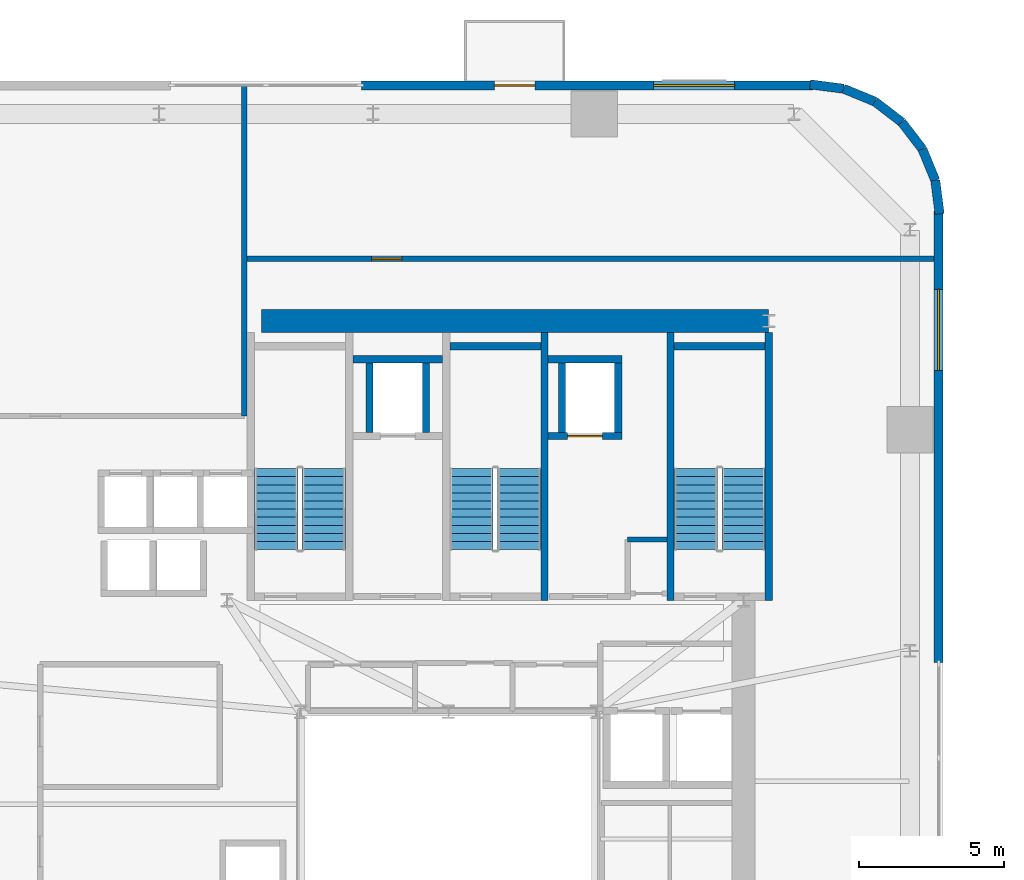
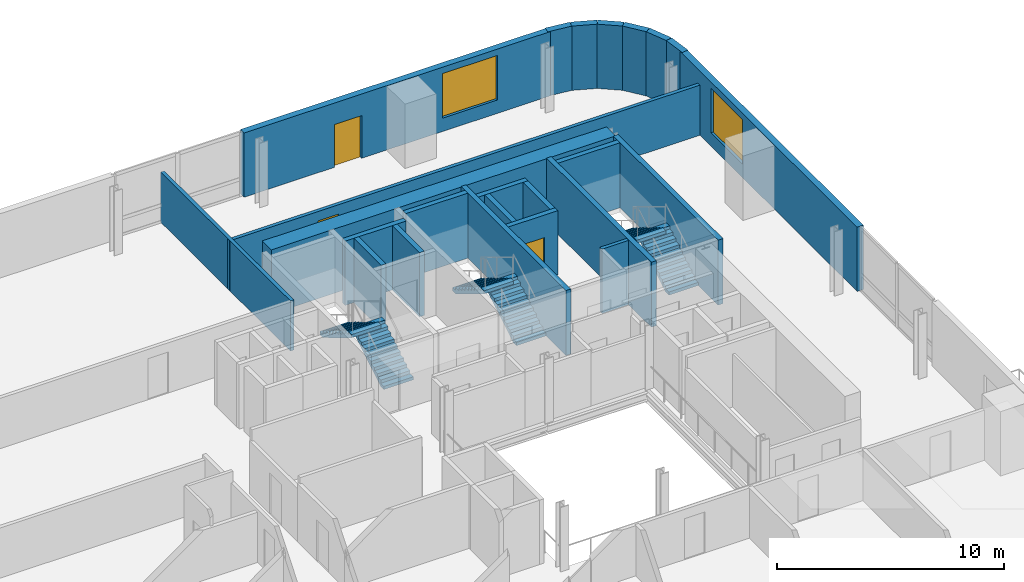
# One storey, part 9 of 14: 24 walls, 6 stair flights, 3 doors, 2 windows, 5 openings, 3 elements without a shape of their own.
"""IFC4 building model written with IfcOpenShell, lengths in metres."""

import ifcopenshell
import ifcopenshell.guid

model = None  # the IFC model being written
_history = None  # IfcOwnerHistory: only IFC2X3 demands one
_inside = {}  # id of a spatial element -> (the spatial element, [elements in it])
_under = {}  # id of a project, library or spatial element -> (it, [spatial elements below it])
_declared = {}  # id of a project -> (the project, [libraries it declares])
_typed = {}  # id of a type object -> (the type object, [elements of that type])
_made_of = {}  # id of a material, layer set ... -> (it, [elements and type objects made of it])


def new_model(schema):
    """Start an empty IFC model of exactly this schema.

    Asked for "IFC4X3", IfcOpenShell would pick the latest addendum, in which some entities
    have other attributes; the version numbers below select the first issue.
    IFC2X3 requires an IfcOwnerHistory on every rooted entity: one is made here for all.
    """
    global model, _history
    if schema == "IFC4X3":
        model = ifcopenshell.file(schema_version=(4, 3, 0, 0))
    else:
        model = ifcopenshell.file(schema=schema)
    _inside.clear()
    _under.clear()
    _declared.clear()
    _typed.clear()
    _made_of.clear()
    _history = None
    if model.schema == "IFC2X3":
        org = make("IfcOrganization", Name="unknown")
        user = make(
            "IfcPersonAndOrganization",
            ThePerson=make("IfcPerson", FamilyName="unknown"),
            TheOrganization=org,
        )
        app = make(
            "IfcApplication",
            ApplicationDeveloper=org,
            Version="unknown",
            ApplicationFullName="unknown",
            ApplicationIdentifier="unknown",
        )
        _history = make(
            "IfcOwnerHistory",
            OwningUser=user,
            OwningApplication=app,
            ChangeAction="ADDED",
            CreationDate=0,
        )
    return model


def make(cls, **values):
    """One entity of the class cls with the attributes given. An attribute that is None is left unset."""
    return model.create_entity(
        cls, **{name: value for name, value in values.items() if value is not None}
    )


def rooted(cls, **values):
    """An entity with a GlobalId (a new one), such as an element, a storey or a relation."""
    return make(cls, GlobalId=ifcopenshell.guid.new(), OwnerHistory=_history, **values)


def si_unit(unit_type, name, prefix=None):
    """IfcSIUnit, for example si_unit("LENGTHUNIT", "METRE", prefix="MILLI")."""
    return make("IfcSIUnit", UnitType=unit_type, Prefix=prefix, Name=name)


def assignment(units):
    """IfcUnitAssignment: the units of a project."""
    return None if units is None else make("IfcUnitAssignment", Units=units)


def point(xyz):
    """IfcCartesianPoint."""
    return None if xyz is None else make("IfcCartesianPoint", Coordinates=xyz)


def direction(xyz):
    """IfcDirection."""
    return None if xyz is None else make("IfcDirection", DirectionRatios=xyz)


def frame(location, z_axis=None, x_axis=None):
    """IfcAxis2Placement3D, a coordinate frame: its origin and axes. An axis left out is left unset."""
    return make(
        "IfcAxis2Placement3D",
        Location=point(location),
        Axis=direction(z_axis),
        RefDirection=direction(x_axis),
    )


def frame_2d(location, x_axis=None):
    """IfcAxis2Placement2D, a coordinate frame in the plane: its origin and x axis."""
    return make(
        "IfcAxis2Placement2D", Location=point(location), RefDirection=direction(x_axis)
    )


def origin():
    """The frame at (0, 0, 0) with its axes left unset."""
    return frame((0.0, 0.0, 0.0))


def place(relative_to, where):
    """IfcLocalPlacement: puts the frame where relative to a parent placement (None: the world)."""
    return make(
        "IfcLocalPlacement", PlacementRelTo=relative_to, RelativePlacement=where
    )


def context(
    kind, dimensions, precision=None, world=None, true_north=None, identifier=None
):
    """IfcGeometricRepresentationContext, for example the 3D "Model" context."""
    return make(
        "IfcGeometricRepresentationContext",
        ContextIdentifier=identifier,
        ContextType=kind,
        CoordinateSpaceDimension=dimensions,
        Precision=precision,
        WorldCoordinateSystem=world,
        TrueNorth=true_north,
    )


def subcontext(parent, identifier, kind, view, scale=None):
    """IfcGeometricRepresentationSubContext, for example "Body" below "Model"."""
    return make(
        "IfcGeometricRepresentationSubContext",
        ContextIdentifier=identifier,
        ContextType=kind,
        ParentContext=parent,
        TargetScale=scale,
        TargetView=view,
    )


def project(units=None, contexts=None):
    """IfcProject with its units and contexts."""
    return rooted(
        "IfcProject",
        Name="project",
        RepresentationContexts=contexts,
        UnitsInContext=assignment(units),
    )


def spatial(cls, under=None, at=None, **own):
    """A site, building, storey or space (cls), placed at a placement, below another one or the project."""
    s = rooted(cls, ObjectPlacement=at, **own)
    if under is not None:
        _under.setdefault(under.id(), (under, []))[1].append(s)
    return s


def polyline(points):
    """IfcPolyline through the points."""
    return make("IfcPolyline", Points=[point(p) for p in points])


def profile(cls, at=None, kind="AREA", **sizes):
    """A parametric profile (cls). Its sizes go by their IFC names, for example OverallWidth=200.0."""
    return make(cls, ProfileType=kind, Position=at, **sizes)


def rectangle(**sizes):
    """IfcRectangleProfileDef."""
    return profile("IfcRectangleProfileDef", **sizes)


def outline(outer, holes=None, kind="AREA"):
    """IfcArbitraryClosedProfileDef: a profile drawn as a closed curve; with holes, ...WithVoids."""
    if holes is None:
        return make("IfcArbitraryClosedProfileDef", ProfileType=kind, OuterCurve=outer)
    return make(
        "IfcArbitraryProfileDefWithVoids",
        ProfileType=kind,
        OuterCurve=outer,
        InnerCurves=holes,
    )


def extrude(swept, where, along, depth):
    """IfcExtrudedAreaSolid: the profile swept, set in the frame where, extruded along a direction by depth."""
    return make(
        "IfcExtrudedAreaSolid",
        SweptArea=swept,
        Position=where,
        ExtrudedDirection=direction(along),
        Depth=depth,
    )


def shape(context_of_items, identifier, shape_type, items):
    """IfcShapeRepresentation: the items that make up one representation, for example the "Body"."""
    return make(
        "IfcShapeRepresentation",
        ContextOfItems=context_of_items,
        RepresentationIdentifier=identifier,
        RepresentationType=shape_type,
        Items=items,
    )


def source(mapping_origin, context_of_items, identifier, shape_type, items):
    """IfcRepresentationMap: a shape defined once, which mapped items show again and again."""
    return make(
        "IfcRepresentationMap",
        MappingOrigin=mapping_origin,
        MappedRepresentation=shape(context_of_items, identifier, shape_type, items),
    )


def transform(
    local_origin,
    x_axis=None,
    y_axis=None,
    z_axis=None,
    scale=None,
    scale2=None,
    scale3=None,
    uniform=True,
):
    """IfcCartesianTransformationOperator3D, or its non-uniform kind. x_axis, y_axis, z_axis: its Axis1, 2, 3."""
    if uniform:
        return make(
            "IfcCartesianTransformationOperator3D",
            Axis1=direction(x_axis),
            Axis2=direction(y_axis),
            LocalOrigin=point(local_origin),
            Scale=scale,
            Axis3=direction(z_axis),
        )
    return make(
        "IfcCartesianTransformationOperator3DnonUniform",
        Axis1=direction(x_axis),
        Axis2=direction(y_axis),
        LocalOrigin=point(local_origin),
        Scale=scale,
        Axis3=direction(z_axis),
        Scale2=scale2,
        Scale3=scale3,
    )


def mapped(mapping_source, mapping_target):
    """IfcMappedItem: shows the shape of a source again, moved by a transform."""
    return make(
        "IfcMappedItem", MappingSource=mapping_source, MappingTarget=mapping_target
    )


def material(Name=None, Category=None):
    """IfcMaterial."""
    return make("IfcMaterial", Name=Name, Category=Category)


def layer(
    of_material, thickness, ventilated=None, Name=None, Category=None, Priority=None
):
    """IfcMaterialLayer: one layer of a wall or slab, of a material (None: an air gap)."""
    return make(
        "IfcMaterialLayer",
        Material=of_material,
        LayerThickness=thickness,
        IsVentilated=ventilated,
        Name=Name,
        Category=Category,
        Priority=Priority,
    )


def layer_set(layers, Name=None):
    """IfcMaterialLayerSet."""
    return make("IfcMaterialLayerSet", MaterialLayers=layers, LayerSetName=Name)


def made_of(thing, what):
    """Note that an element or type object is made of a material, layer set ...; save() writes the relation."""
    if what is not None:
        _made_of.setdefault(what.id(), (what, []))[1].append(thing)
    return thing


def type_object(cls, material=None, **own):
    """A type object (cls), such as IfcWallType, which elements share."""
    return made_of(rooted(cls, **own), material)


def element(
    cls,
    number,
    at=None,
    inside=None,
    cuts=None,
    type_object=None,
    material=None,
    context=None,
    identifier="Body",
    shape_type=None,
    held_by="IfcProductDefinitionShape",
    body=None,
    shapes=None,
    **own,
):
    """One element of the class cls, such as IfcWall. Its Tag is "e" and its number.

    at: its placement. inside: the storey or other place that contains it. cuts: it is an
    opening in that element (IfcRelVoidsElement). A single representation is given by context,
    identifier, shape_type and body (its items); several are given by shapes. held_by: the class
    of the entity that holds the representations. save() writes the other relations.
    """
    e = rooted(cls, Tag="e%d" % number, ObjectPlacement=at, **own)
    if body is not None:
        shapes = [shape(context, identifier, shape_type, body)]
    if shapes is not None:
        e.Representation = make(held_by, Representations=shapes)
    if inside is not None:
        _inside.setdefault(inside.id(), (inside, []))[1].append(e)
    if cuts is not None:
        rooted(
            "IfcRelVoidsElement", RelatingBuildingElement=cuts, RelatedOpeningElement=e
        )
    if type_object is not None:
        _typed.setdefault(type_object.id(), (type_object, []))[1].append(e)
    return made_of(e, material)


def fill(opening, filler):
    """IfcRelFillsElement: the door or window that sits in an opening."""
    return rooted(
        "IfcRelFillsElement",
        RelatingOpeningElement=opening,
        RelatedBuildingElement=filler,
    )


def aggregate(whole, parts):
    """IfcRelAggregates: a whole, such as a stair, and the parts it consists of."""
    return rooted("IfcRelAggregates", RelatingObject=whole, RelatedObjects=parts)


def save(model, path):
    """Write the relations noted so far, then the file.

    IfcRelAggregates (storeys below a building ...), IfcRelContainedInSpatialStructure (elements
    in a storey), IfcRelDefinesByType, IfcRelAssociatesMaterial and IfcRelDeclares: one each for
    every whole, place, type object, material and project.
    """
    for whole, parts in _under.values():
        aggregate(whole, parts)
    for where, things in _inside.values():
        rooted(
            "IfcRelContainedInSpatialStructure",
            RelatedElements=things,
            RelatingStructure=where,
        )
    for kind, things in _typed.values():
        rooted("IfcRelDefinesByType", RelatedObjects=things, RelatingType=kind)
    for what, things in _made_of.values():
        rooted("IfcRelAssociatesMaterial", RelatedObjects=things, RelatingMaterial=what)
    for by, libraries in _declared.values():
        rooted("IfcRelDeclares", RelatingContext=by, RelatedDefinitions=libraries)
    model.write(path)


model = new_model("IFC4")

# Units and contexts
model_context = context("Model", 3, precision=1e-05, world=origin(), true_north=direction((0.0, 1.0)))
body_context = subcontext(model_context, "Body", "Model", "MODEL_VIEW")
ifc_project = project(units=[si_unit("LENGTHUNIT", "METRE"), si_unit("AREAUNIT", "SQUARE_METRE"), si_unit("VOLUMEUNIT", "CUBIC_METRE"), si_unit("PLANEANGLEUNIT", "RADIAN"), si_unit("MASSUNIT", "GRAM", prefix="KILO")], contexts=[model_context])

# Site, building, storey
site_placement = place(None, origin())
site = spatial("IfcSite", under=ifc_project, at=site_placement, CompositionType="ELEMENT")
building_placement = place(site_placement, origin())
building = spatial("IfcBuilding", under=site, at=building_placement, Name="Vardaveli Station Tower", CompositionType="ELEMENT")
storey_placement = place(building_placement, frame((0.0, 0.0, 148.300048828125)))
storey = spatial("IfcBuildingStorey", under=building, at=storey_placement, Name="L38", CompositionType="ELEMENT", Elevation=148.300048828125)

# Wall
ifc_material_1 = material(Name="Concrete C50/60", Category="concrete")
ifc_layer_1 = layer(ifc_material_1, 0.800048828125, Name="Concrete C50/60")
ifc_layer_set_1 = layer_set([ifc_layer_1], Name="Concrete C50/60")
wall_type_1 = type_object("IfcWallType", Name="WAL-CORE-800", PredefinedType="SHEAR", material=ifc_layer_set_1)
shared_shape_1 = source(origin(), body_context, "Body", "SweptSolid", [
    extrude(rectangle(XDim=17.52001953125, YDim=0.800048828125, at=frame_2d((8.760009765625, 0.0))), origin(), (0.0, 0.0, 1.0), 3.4599609375),
])
wall_1_placement = place(storey_placement, frame((29.85009765625, 40.300048828125, 0.0), z_axis=(0.0, 0.0, 1.0), x_axis=(1.0, 0.0, 0.0)))
element("IfcWall", 1, at=wall_1_placement, inside=storey, type_object=wall_type_1, Name="SW-L38-NORTH", PredefinedType="SHEAR", context=body_context, shape_type="MappedRepresentation", body=[
    mapped(shared_shape_1, transform((0.0, 0.0, 0.0), scale=1.0)),
])

# Wall, openings, door, window
ifc_material_2 = material(Name="Precast concrete C45/55", Category="concrete")
ifc_layer_2 = layer(ifc_material_2, 0.320068359375, Name="Precast concrete C45/55")
ifc_layer_set_2 = layer_set([ifc_layer_2], Name="Precast concrete C45/55")
wall_type_2 = type_object("IfcWallType", Name="WAL-EXT-STONE-320", PredefinedType="SOLIDWALL", material=ifc_layer_set_2)
shared_shape_2 = source(origin(), body_context, "Body", "SweptSolid", [
    extrude(rectangle(XDim=15.599853515625, YDim=0.320068359375, at=frame_2d((7.7998046875, 0.0))), origin(), (0.0, 0.0, 1.0), 3.4599609375),
])
wall_2_placement = place(storey_placement, frame((48.89990234375, 48.43994140625, 0.0), z_axis=(0.0, 0.0, 1.0), x_axis=(-1.0, 0.0, 0.0)))
wall_2 = element("IfcWall", 2, at=wall_2_placement, inside=storey, type_object=wall_type_2, Name="EW-L38-N1", PredefinedType="SOLIDWALL", context=body_context, shape_type="MappedRepresentation", body=[
    mapped(shared_shape_2, transform((0.0, 0.0, 0.0), scale=1.0)),
])
shared_shape_3 = source(origin(), body_context, "Body", "SweptSolid", [
    extrude(rectangle(XDim=1.39990234375, YDim=2.300048828125, at=frame_2d((0.699951171875, 1.14990234375))), frame((0.0, 0.169921875, 0.0), z_axis=(0.0, -1.0, 0.0), x_axis=(1.0, 0.0, 0.0)), (0.0, 0.0, 1.0), 0.340087890625),
])
opening_1_placement = place(wall_2_placement, frame((9.6103515625, 0.0, 0.0)))
opening_1 = element("IfcOpeningElement", 3, at=opening_1_placement, cuts=wall_2, Name="Opening D-09", PredefinedType="OPENING", context=body_context, shape_type="MappedRepresentation", body=[
    mapped(shared_shape_3, transform((0.0, 0.0, 0.0), scale=1.0)),
])
shared_shape_4 = source(origin(), body_context, "Body", "SweptSolid", [
    extrude(rectangle(XDim=2.800048828125, YDim=2.39990234375, at=frame_2d((1.39990234375, 1.199951171875))), frame((0.0, 0.169921875, 0.0), z_axis=(0.0, -1.0, 0.0), x_axis=(1.0, 0.0, 0.0)), (0.0, 0.0, 1.0), 0.340087890625),
])
opening_2_placement = place(wall_2_placement, frame((2.705078125, 0.0, 0.719970703125)))
opening_2 = element("IfcOpeningElement", 4, at=opening_2_placement, cuts=wall_2, Name="Opening W-04", PredefinedType="OPENING", context=body_context, shape_type="MappedRepresentation", body=[
    mapped(shared_shape_4, transform((0.0, 0.0, 0.0), scale=1.0)),
])
ifc_material_3 = material(Name="Thermally broken aluminium glass", Category="aluminium")
door_type_1 = type_object("IfcDoorType", Name="DR-LOG-1400x2300", OperationType="DOUBLE_DOOR_SLIDING", PredefinedType="DOOR", material=ifc_material_3)
shared_shape_5 = source(origin(), body_context, "Body", "SweptSolid", [
    extrude(rectangle(XDim=1.39990234375, YDim=2.300048828125, at=frame_2d((0.699951171875, 1.14990234375))), frame((0.0, 0.02490234375, 0.0), z_axis=(0.0, -1.0, 0.0), x_axis=(1.0, 0.0, 0.0)), (0.0, 0.0, 1.0), 0.050048828125),
])
door_1_placement = place(opening_1_placement, frame((1.39990234375, 0.0, 0.0), z_axis=(0.0, 0.0, 1.0), x_axis=(-1.0, 0.0, 0.0)))
door_1 = element("IfcDoor", 5, at=door_1_placement, inside=storey, type_object=door_type_1, Name="DLG-L38-N", OperationType="DOUBLE_DOOR_SLIDING", OverallHeight=2.300048828125, OverallWidth=1.39990234375, PredefinedType="DOOR", context=body_context, shape_type="MappedRepresentation", body=[
    mapped(shared_shape_5, transform((0.0, 0.0, 0.0), scale=1.0)),
])
fill(opening_1, door_1)
ifc_material_4 = material(Name="Low-E solar-control glass", Category="glass")
window_type = type_object("IfcWindowType", Name="WIN-SUITE-2800x2400", PartitioningType="SINGLE_PANEL", PredefinedType="WINDOW", material=ifc_material_4)
shared_shape_6 = source(origin(), body_context, "Body", "SweptSolid", [
    extrude(rectangle(XDim=2.800048828125, YDim=2.39990234375, at=frame_2d((1.39990234375, 1.199951171875))), frame((0.0, 0.030029296875, 0.0), z_axis=(0.0, -1.0, 0.0), x_axis=(1.0, 0.0, 0.0)), (0.0, 0.0, 1.0), 0.06005859375),
])
window_1_placement = place(opening_2_placement, origin())
window_1 = element("IfcWindow", 6, at=window_1_placement, inside=storey, type_object=window_type, Name="WN-L38-N1", OverallHeight=2.39990234375, OverallWidth=2.800048828125, PartitioningType="SINGLE_PANEL", PredefinedType="WINDOW", context=body_context, shape_type="MappedRepresentation", body=[
    mapped(shared_shape_6, transform((0.0, 0.0, 0.0), scale=1.0)),
])
fill(opening_2, window_1)

# Wall, opening, window
shared_shape_7 = source(origin(), body_context, "Body", "SweptSolid", [
    extrude(rectangle(XDim=15.60009765625, YDim=0.320068359375, at=frame_2d((7.800048828125, 0.0))), origin(), (0.0, 0.0, 1.0), 3.4599609375),
])
wall_3_placement = place(storey_placement, frame((53.239990234375, 28.5, 0.0), z_axis=(0.0, 0.0, 1.0), x_axis=(0.0, 1.0, 0.0)))
wall_3 = element("IfcWall", 7, at=wall_3_placement, inside=storey, type_object=wall_type_2, Name="EW-L38-E2", PredefinedType="SOLIDWALL", context=body_context, shape_type="MappedRepresentation", body=[
    mapped(shared_shape_7, transform((0.0, 0.0, 0.0), scale=1.0)),
])
opening_3_placement = place(wall_3_placement, frame((10.094970703125, 0.0, 0.719970703125)))
opening_3 = element("IfcOpeningElement", 8, at=opening_3_placement, cuts=wall_3, Name="Opening W-04", PredefinedType="OPENING", context=body_context, shape_type="MappedRepresentation", body=[
    mapped(shared_shape_4, transform((0.0, 0.0, 0.0), scale=1.0)),
])
window_2_placement = place(opening_3_placement, origin())
window_2 = element("IfcWindow", 9, at=window_2_placement, inside=storey, type_object=window_type, Name="WN-L38-E2", OverallHeight=2.39990234375, OverallWidth=2.800048828125, PartitioningType="SINGLE_PANEL", PredefinedType="WINDOW", context=body_context, shape_type="MappedRepresentation", body=[
    mapped(shared_shape_6, transform((0.0, 0.0, 0.0), scale=1.0)),
])
fill(opening_3, window_2)

# Walls
shared_shape_8 = source(origin(), body_context, "Body", "SweptSolid", [
    extrude(rectangle(XDim=1.1689453125, YDim=0.320068359375, at=frame_2d((0.58447265625, 0.0))), origin(), (0.0, 0.0, 1.0), 3.4599609375),
])
wall_4_placement = place(storey_placement, frame((52.679931640625, 46.2412109375, 0.0), z_axis=(0.0, 0.0, 1.0), x_axis=(-0.608387696831, 0.793639975269, 0.0)))
element("IfcWall", 10, at=wall_4_placement, inside=storey, type_object=wall_type_2, Name="EW-L38-CR3-3", PredefinedType="SOLIDWALL", context=body_context, shape_type="MappedRepresentation", body=[
    mapped(shared_shape_8, transform((0.0, 0.0, 0.0), scale=1.0)),
])
shared_shape_9 = source(origin(), body_context, "Body", "SweptSolid", [
    extrude(rectangle(XDim=1.168701171875, YDim=0.320068359375, at=frame_2d((0.58447265625, 0.0))), origin(), (0.0, 0.0, 1.0), 3.4599609375),
])
wall_5_placement = place(storey_placement, frame((51.96875, 47.1689453125, 0.0), z_axis=(0.0, 0.0, 1.0), x_axis=(-0.793663520347, 0.608356981114, 0.0)))
element("IfcWall", 11, at=wall_5_placement, inside=storey, type_object=wall_type_2, Name="EW-L38-CR3-4", PredefinedType="SOLIDWALL", context=body_context, shape_type="MappedRepresentation", body=[
    mapped(shared_shape_9, transform((0.0, 0.0, 0.0), scale=1.0)),
])
shared_shape_10 = source(origin(), body_context, "Body", "SweptSolid", [
    extrude(rectangle(XDim=1.17041015625, YDim=0.320068359375, at=frame_2d((0.585205078125, 0.0))), origin(), (0.0, 0.0, 1.0), 3.4599609375),
])
for number, where, z_axis, x_axis, name in (
    (12, (53.275634765625, 43.99951171875, 0.0), (0.0, 0.0, 1.0), (-0.128295670475, 0.991735963317, 0.0), "EW-L38-CR3-1"),
    (13, (49.960205078125, 48.325439453125, 0.0), (0.0, 0.0, 1.0), (-0.991735963317, 0.128295670475, 0.0), "EW-L38-CR3-6"),
):
    element("IfcWall", number, at=place(storey_placement, frame(where, z_axis=z_axis, x_axis=x_axis)), inside=storey, type_object=wall_type_2, Name=name, PredefinedType="SOLIDWALL", context=body_context, shape_type="MappedRepresentation", body=[
        mapped(shared_shape_10, transform((0.0, 0.0, 0.0), scale=1.0)),
    ])
shared_shape_11 = source(origin(), body_context, "Body", "SweptSolid", [
    extrude(rectangle(XDim=1.169189453125, YDim=0.320068359375, at=frame_2d((0.58447265625, 0.0))), origin(), (0.0, 0.0, 1.0), 3.4599609375),
])
for number, where, z_axis, x_axis, name in (
    (14, (53.12548828125, 45.16015625, 0.0), (0.0, 0.0, 1.0), (-0.381054331552, 0.924552646638, 0.0), "EW-L38-CR3-2"),
    (15, (51.041259765625, 47.8798828125, 0.0), (0.0, 0.0, 1.0), (-0.924552646638, 0.381054331552, 0.0), "EW-L38-CR3-5"),
):
    element("IfcWall", number, at=place(storey_placement, frame(where, z_axis=z_axis, x_axis=x_axis)), inside=storey, type_object=wall_type_2, Name=name, PredefinedType="SOLIDWALL", context=body_context, shape_type="MappedRepresentation", body=[
        mapped(shared_shape_11, transform((0.0, 0.0, 0.0), scale=1.0)),
    ])
ifc_material_5 = material(Name="Concrete C40/50", Category="concrete")
ifc_layer_3 = layer(ifc_material_5, 0.25, Name="Concrete C40/50")
ifc_layer_set_3 = layer_set([ifc_layer_3], Name="Concrete C40/50")
wall_type_3 = type_object("IfcWallType", Name="WAL-SHAFT-250", PredefinedType="SOLIDWALL", material=ifc_layer_set_3)
shared_shape_12 = source(origin(), body_context, "Body", "SweptSolid", [
    extrude(rectangle(XDim=9.25, YDim=0.25, at=frame_2d((4.625, 0.0))), origin(), (0.0, 0.0, 1.0), 3.5),
])
for number, where, z_axis, x_axis, name in (
    (16, (39.625, 30.64990234375, 0.0), (0.0, 0.0, 1.0), (0.0, 1.0, 0.0), "W-L38-ST-2E"),
    (17, (43.97509765625, 30.64990234375, 0.0), (0.0, 0.0, 1.0), (0.0, 1.0, 0.0), "W-L38-ST-3W"),
    (18, (47.375, 30.64990234375, 0.0), (0.0, 0.0, 1.0), (0.0, 1.0, 0.0), "W-L38-ST-3E"),
):
    element("IfcWall", number, at=place(storey_placement, frame(where, z_axis=z_axis, x_axis=x_axis)), inside=storey, type_object=wall_type_3, Name=name, PredefinedType="SOLIDWALL", context=body_context, shape_type="MappedRepresentation", body=[
        mapped(shared_shape_12, transform((0.0, 0.0, 0.0), scale=1.0)),
    ])
shared_shape_13 = source(origin(), body_context, "Body", "SweptSolid", [
    extrude(rectangle(XDim=3.14990234375, YDim=0.25, at=frame_2d((1.574951171875, 0.0))), origin(), (0.0, 0.0, 1.0), 3.5),
])
for number, where, z_axis, x_axis, name in (
    (19, (36.35009765625, 39.425048828125, 0.0), (0.0, 0.0, 1.0), (1.0, 0.0, 0.0), "W-L38-ST-2N"),
    (20, (44.10009765625, 39.425048828125, 0.0), (0.0, 0.0, 1.0), (1.0, 0.0, 0.0), "W-L38-ST-3N"),
):
    element("IfcWall", number, at=place(storey_placement, frame(where, z_axis=z_axis, x_axis=x_axis)), inside=storey, type_object=wall_type_3, Name=name, PredefinedType="SOLIDWALL", context=body_context, shape_type="MappedRepresentation", body=[
        mapped(shared_shape_13, transform((0.0, 0.0, 0.0), scale=1.0)),
    ])
shared_shape_14 = source(origin(), body_context, "Body", "SweptSolid", [
    extrude(rectangle(XDim=3.10009765625, YDim=0.25, at=frame_2d((1.550048828125, 0.0))), origin(), (0.0, 0.0, 1.0), 3.4599609375),
])
wall_6_placement = place(storey_placement, frame((33.0, 38.97509765625, 0.0), z_axis=(0.0, 0.0, 1.0), x_axis=(1.0, 0.0, 0.0)))
element("IfcWall", 21, at=wall_6_placement, inside=storey, type_object=wall_type_3, Name="SHW-FFL-01-L38-N", PredefinedType="SOLIDWALL", context=body_context, shape_type="MappedRepresentation", body=[
    mapped(shared_shape_14, transform((0.0, 0.0, 0.0), scale=1.0)),
])
shared_shape_15 = source(origin(), body_context, "Body", "SweptSolid", [
    extrude(rectangle(XDim=2.400146484375, YDim=0.25, at=frame_2d((1.2001953125, 0.0))), origin(), (0.0, 0.0, 1.0), 3.4599609375),
])
for number, where, z_axis, x_axis, name in (
    (22, (33.574951171875, 36.449951171875, 0.0), (0.0, 0.0, 1.0), (0.0, 1.0, 0.0), "SHW-FFL-01-L38-W"),
    (23, (35.52490234375, 36.449951171875, 0.0), (0.0, 0.0, 1.0), (0.0, 1.0, 0.0), "SHW-FFL-01-L38-E"),
    (24, (40.22509765625, 36.449951171875, 0.0), (0.0, 0.0, 1.0), (0.0, 1.0, 0.0), "SHW-FFL-02-L38-W"),
    (25, (42.175048828125, 36.449951171875, 0.0), (0.0, 0.0, 1.0), (0.0, 1.0, 0.0), "SHW-FFL-02-L38-E"),
):
    element("IfcWall", number, at=place(storey_placement, frame(where, z_axis=z_axis, x_axis=x_axis)), inside=storey, type_object=wall_type_3, Name=name, PredefinedType="SOLIDWALL", context=body_context, shape_type="MappedRepresentation", body=[
        mapped(shared_shape_15, transform((0.0, 0.0, 0.0), scale=1.0)),
    ])

# Wall, opening, door
shared_shape_16 = source(origin(), body_context, "Body", "SweptSolid", [
    extrude(rectangle(XDim=2.550048828125, YDim=0.25, at=frame_2d((1.27490234375, 0.0))), origin(), (0.0, 0.0, 1.0), 3.4599609375),
])
wall_7_placement = place(storey_placement, frame((39.75, 36.324951171875, 0.0), z_axis=(0.0, 0.0, 1.0), x_axis=(1.0, 0.0, 0.0)))
wall_7 = element("IfcWall", 26, at=wall_7_placement, inside=storey, type_object=wall_type_3, Name="SHW-FFL-02-L38-S", PredefinedType="SOLIDWALL", context=body_context, shape_type="MappedRepresentation", body=[
    mapped(shared_shape_16, transform((0.0, 0.0, 0.0), scale=1.0)),
])
shared_shape_17 = source(origin(), body_context, "Body", "SweptSolid", [
    extrude(rectangle(XDim=1.199951171875, YDim=2.25, at=frame_2d((0.60009765625, 1.125))), frame((0.0, 0.135009765625, 0.0), z_axis=(0.0, -1.0, 0.0), x_axis=(1.0, 0.0, 0.0)), (0.0, 0.0, 1.0), 0.27001953125),
])
opening_4_placement = place(wall_7_placement, frame((0.675048828125, 0.0, 0.0)))
opening_4 = element("IfcOpeningElement", 27, at=opening_4_placement, cuts=wall_7, Name="Opening LD-02", PredefinedType="OPENING", context=body_context, shape_type="MappedRepresentation", body=[
    mapped(shared_shape_17, transform((0.0, 0.0, 0.0), scale=1.0)),
])
ifc_material_6 = material(Name="Brushed stainless steel", Category="steel")
door_type_2 = type_object("IfcDoorType", Name="DR-LD-1200x2250", OperationType="DOUBLE_DOOR_SLIDING", PredefinedType="DOOR", material=ifc_material_6)
shared_shape_18 = source(origin(), body_context, "Body", "SweptSolid", [
    extrude(rectangle(XDim=1.199951171875, YDim=2.25, at=frame_2d((0.60009765625, 1.125))), frame((0.0, 0.02490234375, 0.0), z_axis=(0.0, -1.0, 0.0), x_axis=(1.0, 0.0, 0.0)), (0.0, 0.0, 1.0), 0.050048828125),
])
door_2_placement = place(opening_4_placement, origin())
door_2 = element("IfcDoor", 28, at=door_2_placement, inside=storey, type_object=door_type_2, Name="LD-FFL-02-L38", OperationType="DOUBLE_DOOR_SLIDING", OverallHeight=2.25, OverallWidth=1.199951171875, PredefinedType="DOOR", context=body_context, shape_type="MappedRepresentation", body=[
    mapped(shared_shape_18, transform((0.0, 0.0, 0.0), scale=1.0)),
])
fill(opening_4, door_2)

# Wall
wall_8_placement = place(storey_placement, frame((39.75, 38.97509765625, 0.0), z_axis=(0.0, 0.0, 1.0), x_axis=(1.0, 0.0, 0.0)))
element("IfcWall", 29, at=wall_8_placement, inside=storey, type_object=wall_type_3, Name="SHW-FFL-02-L38-N", PredefinedType="SOLIDWALL", context=body_context, shape_type="MappedRepresentation", body=[
    mapped(shared_shape_16, transform((0.0, 0.0, 0.0), scale=1.0)),
])

# Wall, opening, door
ifc_material_7 = material(Name="Fire-rated gypsum stud partition")
ifc_layer_4 = layer(ifc_material_7, 0.179931640625, Name="Fire-rated gypsum stud partition")
ifc_layer_set_4 = layer_set([ifc_layer_4], Name="Fire-rated gypsum stud partition")
wall_type_4 = type_object("IfcWallType", Name="WAL-CORR-180", PredefinedType="PARTITIONING", material=ifc_layer_set_4)
shared_shape_19 = source(origin(), body_context, "Body", "SweptSolid", [
    extrude(rectangle(XDim=23.927978515625, YDim=0.179931640625, at=frame_2d((11.9638671875, 0.0))), origin(), (0.0, 0.0, 1.0), 2.701904296875),
])
wall_9_placement = place(storey_placement, frame((29.14990234375, 42.449951171875, 0.0), z_axis=(0.0, 0.0, 1.0), x_axis=(1.0, 0.0, 0.0)))
wall_9 = element("IfcWall", 30, at=wall_9_placement, inside=storey, type_object=wall_type_4, Name="W-L38-NPS", PredefinedType="PARTITIONING", context=body_context, shape_type="MappedRepresentation", body=[
    mapped(shared_shape_19, transform((0.0, 0.0, 0.0), scale=1.0)),
])
shared_shape_20 = source(origin(), body_context, "Body", "SweptSolid", [
    extrude(rectangle(XDim=1.050048828125, YDim=2.199951171875, at=frame_2d((0.52490234375, 1.10009765625))), frame((0.0, 0.10009765625, 0.0), z_axis=(0.0, -1.0, 0.0), x_axis=(1.0, 0.0, 0.0)), (0.0, 0.0, 1.0), 0.199951171875),
])
opening_5_placement = place(wall_9_placement, frame((4.5, 0.0, 0.0)))
opening_5 = element("IfcOpeningElement", 31, at=opening_5_placement, cuts=wall_9, Name="Opening D-05", PredefinedType="OPENING", context=body_context, shape_type="MappedRepresentation", body=[
    mapped(shared_shape_20, transform((0.0, 0.0, 0.0), scale=1.0)),
])
ifc_material_8 = material(Name="Walnut veneer acoustic fire door")
door_type_3 = type_object("IfcDoorType", Name="DR-SUITE-1050x2200", OperationType="NOTDEFINED", PredefinedType="DOOR", material=ifc_material_8)
shared_shape_21 = source(origin(), body_context, "Body", "SweptSolid", [
    extrude(rectangle(XDim=1.050048828125, YDim=2.199951171875, at=frame_2d((0.52490234375, 1.10009765625))), frame((0.0, 0.02490234375, 0.0), z_axis=(0.0, -1.0, 0.0), x_axis=(1.0, 0.0, 0.0)), (0.0, 0.0, 1.0), 0.050048828125),
])
door_3_placement = place(opening_5_placement, origin())
door_3 = element("IfcDoor", 32, at=door_3_placement, inside=storey, type_object=door_type_3, Name="D-L38-NP1", OperationType="SINGLE_SWING_RIGHT", OverallHeight=2.199951171875, OverallWidth=1.050048828125, PredefinedType="DOOR", context=body_context, shape_type="MappedRepresentation", body=[
    mapped(shared_shape_21, transform((0.0, 0.0, 0.0), scale=1.0)),
])
fill(opening_5, door_3)

# Walls
shared_shape_22 = source(origin(), body_context, "Body", "SweptSolid", [
    extrude(rectangle(XDim=11.449951171875, YDim=0.179931640625, at=frame_2d((5.72509765625, 0.0))), origin(), (0.0, 0.0, 1.0), 2.701904296875),
])
wall_10_placement = place(storey_placement, frame((29.25, 37.02001953125, 0.0), z_axis=(0.0, 0.0, 1.0), x_axis=(0.0, 1.0, 0.0)))
element("IfcWall", 33, at=wall_10_placement, inside=storey, type_object=wall_type_4, Name="W-L38-CNWE", PredefinedType="PARTITIONING", context=body_context, shape_type="MappedRepresentation", body=[
    mapped(shared_shape_22, transform((0.0, 0.0, 0.0), scale=1.0)),
])
shared_shape_23 = source(origin(), body_context, "Body", "SweptSolid", [
    extrude(rectangle(XDim=1.347900390625, YDim=0.179931640625, at=frame_2d((0.673828125, 0.0))), origin(), (0.0, 0.0, 1.0), 3.4599609375),
])
wall_11_placement = place(storey_placement, frame((42.5, 32.75, 0.0), z_axis=(0.0, 0.0, 1.0), x_axis=(1.0, 0.0, 0.0)))
element("IfcWall", 34, at=wall_11_placement, inside=storey, type_object=wall_type_4, Name="W-L38-CBS2A-N", PredefinedType="PARTITIONING", context=body_context, shape_type="MappedRepresentation", body=[
    mapped(shared_shape_23, transform((0.0, 0.0, 0.0), scale=1.0)),
])

# Stair, stair flights
stair_type = type_object("IfcStairType", Name="STR-CORE-1500", PredefinedType="HALF_TURN_STAIR", material=ifc_material_5)
stair_1_placement = place(storey_placement, origin())
stair_1 = element("IfcStair", 35, at=stair_1_placement, inside=storey, type_object=stair_type, Name="L38 ST-1", PredefinedType="HALF_TURN_STAIR")
stair_flight_type = type_object("IfcStairFlightType", Name="SFL-CORE-1500", PredefinedType="STRAIGHT", material=ifc_material_5)
shared_shape_24 = source(origin(), body_context, "Body", "SweptSolid", [
    extrude(outline(polyline([(0.0, 0.0), (0.0, 0.168212890625), (0.280029296875, 0.168212890625), (0.280029296875, 0.33642578125), (0.56005859375, 0.33642578125), (0.56005859375, 0.504638671875), (0.840087890625, 0.504638671875), (0.840087890625, 0.672607421875), (1.1201171875, 0.672607421875), (1.1201171875, 0.8408203125), (1.39990234375, 0.8408203125), (1.39990234375, 1.009033203125), (1.679931640625, 1.009033203125), (1.679931640625, 1.17724609375), (1.9599609375, 1.17724609375), (1.9599609375, 1.345458984375), (2.239990234375, 1.345458984375), (2.239990234375, 1.513671875), (2.52001953125, 1.513671875), (2.52001953125, 1.681884765625), (2.800048828125, 1.681884765625), (2.800048828125, 1.85009765625), (2.800048828125, 1.5068359375), (0.291015625, 0.0), (0.0, 0.0)])), frame((0.0, 0.75, 0.0), z_axis=(0.0, -1.0, 0.0), x_axis=(1.0, 0.0, 0.0)), (0.0, 0.0, 1.0), 1.5),
])
stair_flight_1_placement = place(storey_placement, frame((32.0, 32.39990234375, 0.0), z_axis=(0.0, 0.0, 1.0), x_axis=(0.0, 1.0, 0.0)))
stair_flight_1 = element("IfcStairFlight", 36, at=stair_flight_1_placement, type_object=stair_flight_type, Name="ST-1 flight 1", NumberOfRisers=11, NumberOfTreads=10, PredefinedType="STRAIGHT", RiserHeight=0.168181818, TreadLength=0.28, context=body_context, shape_type="MappedRepresentation", body=[
    mapped(shared_shape_24, transform((0.0, 0.0, 0.0), scale=1.0)),
])
stair_flight_2_placement = place(storey_placement, frame((30.35009765625, 35.199951171875, 1.849853515625), z_axis=(0.0, 0.0, 1.0), x_axis=(0.0, -1.0, 0.0)))
stair_flight_2 = element("IfcStairFlight", 37, at=stair_flight_2_placement, type_object=stair_flight_type, Name="ST-1 flight 2", NumberOfRisers=11, NumberOfTreads=10, PredefinedType="STRAIGHT", RiserHeight=0.168181818, TreadLength=0.28, context=body_context, shape_type="MappedRepresentation", body=[
    mapped(shared_shape_24, transform((0.0, 0.0, 0.0), scale=1.0)),
])
aggregate(stair_1, [stair_flight_1, stair_flight_2])

stair_2_placement = place(storey_placement, origin())
stair_2 = element("IfcStair", 38, at=stair_2_placement, inside=storey, type_object=stair_type, Name="L38 ST-2", PredefinedType="HALF_TURN_STAIR")
stair_flight_3_placement = place(storey_placement, frame((38.75, 32.39990234375, 0.0), z_axis=(0.0, 0.0, 1.0), x_axis=(0.0, 1.0, 0.0)))
stair_flight_3 = element("IfcStairFlight", 39, at=stair_flight_3_placement, type_object=stair_flight_type, Name="ST-2 flight 1", NumberOfRisers=11, NumberOfTreads=10, PredefinedType="STRAIGHT", RiserHeight=0.168181818, TreadLength=0.28, context=body_context, shape_type="MappedRepresentation", body=[
    mapped(shared_shape_24, transform((0.0, 0.0, 0.0), scale=1.0)),
])
stair_flight_4_placement = place(storey_placement, frame((37.10009765625, 35.199951171875, 1.849853515625), z_axis=(0.0, 0.0, 1.0), x_axis=(0.0, -1.0, 0.0)))
stair_flight_4 = element("IfcStairFlight", 40, at=stair_flight_4_placement, type_object=stair_flight_type, Name="ST-2 flight 2", NumberOfRisers=11, NumberOfTreads=10, PredefinedType="STRAIGHT", RiserHeight=0.168181818, TreadLength=0.28, context=body_context, shape_type="MappedRepresentation", body=[
    mapped(shared_shape_24, transform((0.0, 0.0, 0.0), scale=1.0)),
])
aggregate(stair_2, [stair_flight_3, stair_flight_4])

stair_3_placement = place(storey_placement, origin())
stair_3 = element("IfcStair", 41, at=stair_3_placement, inside=storey, type_object=stair_type, Name="L38 ST-3", PredefinedType="HALF_TURN_STAIR")
stair_flight_5_placement = place(storey_placement, frame((46.5, 32.39990234375, 0.0), z_axis=(0.0, 0.0, 1.0), x_axis=(0.0, 1.0, 0.0)))
stair_flight_5 = element("IfcStairFlight", 42, at=stair_flight_5_placement, type_object=stair_flight_type, Name="ST-3 flight 1", NumberOfRisers=11, NumberOfTreads=10, PredefinedType="STRAIGHT", RiserHeight=0.168181818, TreadLength=0.28, context=body_context, shape_type="MappedRepresentation", body=[
    mapped(shared_shape_24, transform((0.0, 0.0, 0.0), scale=1.0)),
])
stair_flight_6_placement = place(storey_placement, frame((44.85009765625, 35.199951171875, 1.849853515625), z_axis=(0.0, 0.0, 1.0), x_axis=(0.0, -1.0, 0.0)))
stair_flight_6 = element("IfcStairFlight", 43, at=stair_flight_6_placement, type_object=stair_flight_type, Name="ST-3 flight 2", NumberOfRisers=11, NumberOfTreads=10, PredefinedType="STRAIGHT", RiserHeight=0.168181818, TreadLength=0.28, context=body_context, shape_type="MappedRepresentation", body=[
    mapped(shared_shape_24, transform((0.0, 0.0, 0.0), scale=1.0)),
])
aggregate(stair_3, [stair_flight_5, stair_flight_6])

save(model, "model.ifc")
